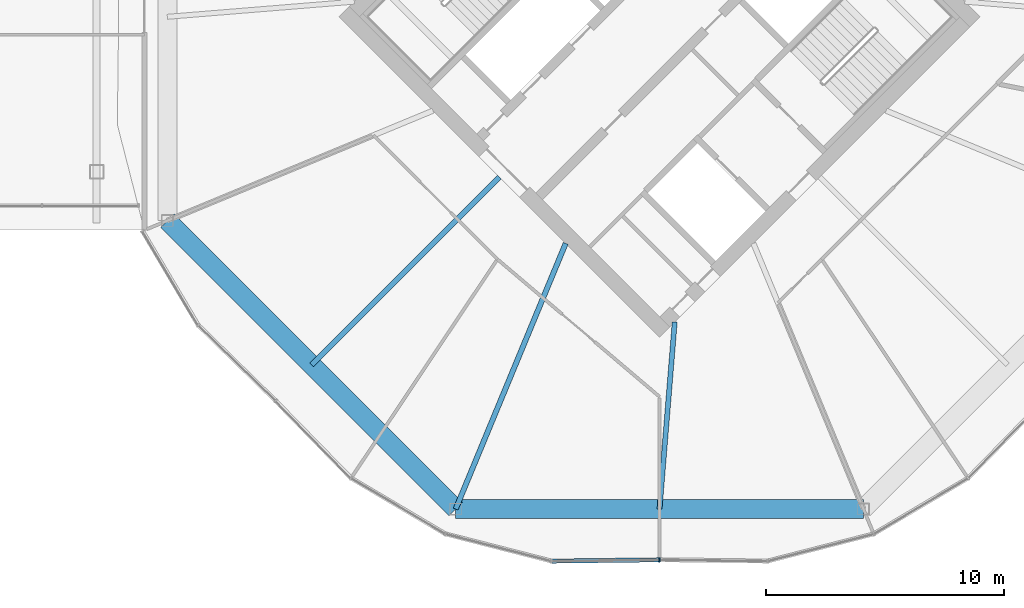
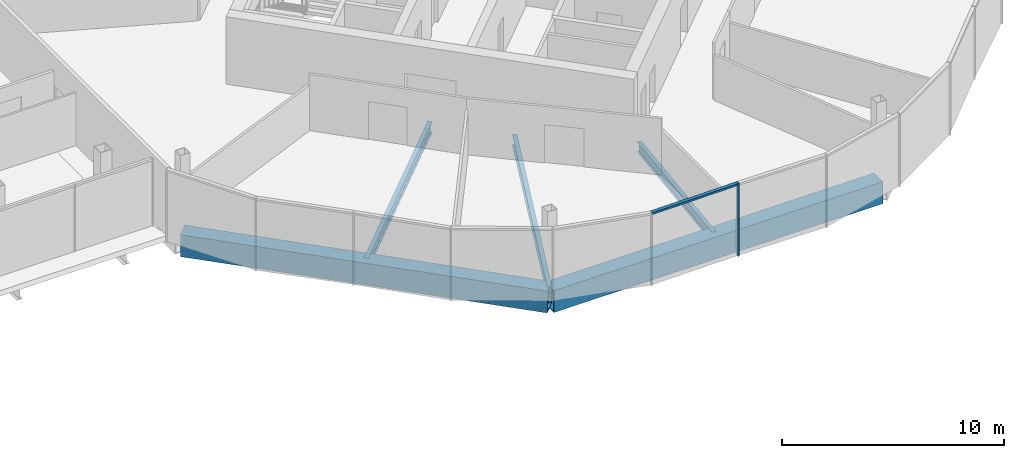
# One storey, part 12 of 25: 5 beams, 2 members, 1 element without a shape of its own.
"""IFC4 building model written with IfcOpenShell, lengths in metres."""

from ifc_helpers import new_model, si_unit, direction, frame, origin, origin_2d, place, context, subcontext, project, spatial, rectangle, hollow_rectangle, i_section, extrude, material, material_profile, profile_set, type_object, element, aggregate, save


model = new_model("IFC4")

# Units and contexts
model_context = context("Model", 3, precision=1e-05, world=origin(), true_north=direction((0.0, 1.0)))
body_context = subcontext(model_context, "Body", "Model", "MODEL_VIEW")
ifc_project = project(units=[si_unit("LENGTHUNIT", "METRE"), si_unit("AREAUNIT", "SQUARE_METRE"), si_unit("VOLUMEUNIT", "CUBIC_METRE"), si_unit("PLANEANGLEUNIT", "RADIAN"), si_unit("MASSUNIT", "GRAM", prefix="KILO")], contexts=[model_context])

# Site, building, storey
site_placement = place(None, origin())
site = spatial("IfcSite", under=ifc_project, at=site_placement, CompositionType="ELEMENT")
building_placement = place(site_placement, origin())
building = spatial("IfcBuilding", under=site, at=building_placement, Name="Ogive Gate Towers", CompositionType="ELEMENT")
storey_placement = place(building_placement, frame((0.0, 0.0, 140.800048828125)))
storey = spatial("IfcBuildingStorey", under=building, at=storey_placement, Name="L33", CompositionType="ELEMENT", Elevation=140.800048828125)

# Beams
ifc_material_1 = material(Name="Steel SM460", Category="steel")
ifc_material_profile_1 = material_profile(ifc_material_1, hollow_rectangle(XDim=0.800048828125, YDim=1.199951171875, WallThickness=0.050048828125, at=origin_2d()), Name="BX 1200x800x50")
ifc_profile_set_1 = profile_set([ifc_material_profile_1], Name="Steel SM460")
beam_type_1 = type_object("IfcBeamType", Name="Edge girder BX 1200x800x50", PredefinedType="BEAM", material=ifc_profile_set_1)
beam_1_placement = place(storey_placement, frame((15.360595703125, -8.549072265625, -0.900146484375), z_axis=(0.707106781187, -0.707106781187, 0.0), x_axis=(0.707106781187, 0.707106781187, 0.0)))
element("IfcBeam", 1, at=beam_1_placement, inside=storey, type_object=beam_type_1, Name="T2/L33/SBM017", PredefinedType="BEAM", context=body_context, shape_type="SweptSolid", body=[
    extrude(hollow_rectangle(XDim=0.800048828125, YDim=1.199951171875, WallThickness=0.050048828125, at=origin_2d()), origin(), (0.0, 0.0, 1.0), 17.098388671875),
])
beam_2_placement = place(storey_placement, frame((27.450927734375, -20.639404296875, -0.900146484375), z_axis=(1.0, 0.0, 0.0), x_axis=(0.0, 1.0, 0.0)))
element("IfcBeam", 2, at=beam_2_placement, inside=storey, type_object=beam_type_1, Name="T2/L33/SBM018", PredefinedType="BEAM", context=body_context, shape_type="SweptSolid", body=[
    extrude(hollow_rectangle(XDim=0.800048828125, YDim=1.199951171875, WallThickness=0.050048828125, at=origin_2d()), origin(), (0.0, 0.0, 1.0), 17.09814453125),
])
ifc_material_2 = material(Name="Steel SM355", Category="steel")
ifc_material_profile_2 = material_profile(ifc_material_2, i_section(OverallWidth=0.2099609375, OverallDepth=0.550048828125, WebThickness=0.010986328125, FlangeThickness=0.01708984375, FilletRadius=0.02392578125, at=origin_2d()), Name="IPE 550")
ifc_profile_set_2 = profile_set([ifc_material_profile_2], Name="Steel SM355")
beam_type_2 = type_object("IfcBeamType", Name="Radial floor beam IPE 550", PredefinedType="BEAM", material=ifc_profile_set_2)
beam_3_placement = place(storey_placement, frame((36.636474609375, -12.798583984375, -0.574951171875), z_axis=(-0.080908365468, -0.996721544062, 0.0), x_axis=(0.996721544062, -0.080908365468, 0.0)))
element("IfcBeam", 3, at=beam_3_placement, inside=storey, type_object=beam_type_2, Name="T2/L33/SBM004", PredefinedType="BEAM", context=body_context, shape_type="SweptSolid", body=[
    extrude(i_section(OverallWidth=0.2099609375, OverallDepth=0.550048828125, WebThickness=0.010986328125, FlangeThickness=0.01708984375, FilletRadius=0.02392578125, at=origin_2d()), origin(), (0.0, 0.0, 1.0), 7.86669921875),
])
ifc_material_profile_3 = material_profile(ifc_material_2, i_section(OverallWidth=0.219970703125, OverallDepth=0.60009765625, WebThickness=0.011962890625, FlangeThickness=0.01904296875, FilletRadius=0.02392578125, at=origin_2d()), Name="IPE 600")
ifc_profile_set_3 = profile_set([ifc_material_profile_3], Name="Steel SM355")
beam_type_3 = type_object("IfcBeamType", Name="Radial floor beam IPE 600", PredefinedType="BEAM", material=ifc_profile_set_3)
beam_4_placement = place(storey_placement, frame((29.282470703125, -6.717529296875, -0.60009765625), z_axis=(-0.707106781187, -0.707106781187, 0.0), x_axis=(0.707106781187, -0.707106781187, 0.0)))
element("IfcBeam", 4, at=beam_4_placement, inside=storey, type_object=beam_type_3, Name="T2/L33/SBM002", PredefinedType="BEAM", context=body_context, shape_type="SweptSolid", body=[
    extrude(i_section(OverallWidth=0.219970703125, OverallDepth=0.60009765625, WebThickness=0.011962890625, FlangeThickness=0.01904296875, FilletRadius=0.02392578125, at=origin_2d()), origin(), (0.0, 0.0, 1.0), 11.139404296875),
])
beam_5_placement = place(storey_placement, frame((32.06494140625, -9.5, -0.60009765625), z_axis=(-0.382677863518, -0.923881839184, 0.0), x_axis=(0.923881839184, -0.382677863518, 0.0)))
element("IfcBeam", 5, at=beam_5_placement, inside=storey, type_object=beam_type_3, Name="T2/L33/SBM003", PredefinedType="BEAM", context=body_context, shape_type="SweptSolid", body=[
    extrude(i_section(OverallWidth=0.219970703125, OverallDepth=0.60009765625, WebThickness=0.011962890625, FlangeThickness=0.01904296875, FilletRadius=0.02392578125, at=origin_2d()), origin(), (0.0, 0.0, 1.0), 12.05712890625),
])

# Curtain wall, members
ifc_material_3 = material(Name="Pale metal aluminium", Category="aluminium")
curtain_wall_type = type_object("IfcCurtainWallType", Name="Tower unitised wall, high zone", PredefinedType="NOTDEFINED", material=ifc_material_3)
curtain_wall_placement = place(storey_placement, origin())
curtain_wall = element("IfcCurtainWall", 6, at=curtain_wall_placement, inside=storey, type_object=curtain_wall_type, Name="CW2 T2 ECW06", PredefinedType="NOTDEFINED")
ifc_material_profile_4 = material_profile(ifc_material_3, rectangle(XDim=0.179931640625, YDim=0.06005859375, at=origin_2d()), Name="60 x 180 aluminium box")
ifc_profile_set_4 = profile_set([ifc_material_profile_4], Name="Pale metal aluminium")
member_type_1 = type_object("IfcMemberType", Name="Tower unitised wall, high zone mullion 60 x 180", PredefinedType="MULLION", material=ifc_profile_set_4)
member_1_placement = place(storey_placement, frame((36.0, -22.77001953125, -0.300048828125), z_axis=(0.0, 0.0, 1.0), x_axis=(0.012077384797, -0.999927065729, 0.0)))
member_1 = element("IfcMember", 7, at=member_1_placement, type_object=member_type_1, Name="CW2 mullion", PredefinedType="MULLION", context=body_context, shape_type="SweptSolid", body=[
    extrude(rectangle(XDim=0.179931640625, YDim=0.06005859375, at=origin_2d()), origin(), (0.0, 0.0, 1.0), 4.0),
])
ifc_material_profile_5 = material_profile(ifc_material_3, rectangle(XDim=0.179931640625, YDim=0.10009765625, at=origin_2d()), Name="100 x 180 aluminium box")
ifc_profile_set_5 = profile_set([ifc_material_profile_5], Name="Pale metal aluminium")
member_type_2 = type_object("IfcMemberType", Name="Tower unitised wall, high zone transom 100 x 180", PredefinedType="USERDEFINED", material=ifc_profile_set_5)
member_2_placement = place(storey_placement, frame((31.49560546875, -22.824462890625, 3.64990234375), z_axis=(0.999927301671, 0.012057834543, 0.0), x_axis=(-0.012057834543, 0.999927301671, 0.0)))
member_2 = element("IfcMember", 8, at=member_2_placement, type_object=member_type_2, Name="CW2 transom", ObjectType="TRANSOM", PredefinedType="USERDEFINED", context=body_context, shape_type="SweptSolid", body=[
    extrude(rectangle(XDim=0.179931640625, YDim=0.10009765625, at=origin_2d()), origin(), (0.0, 0.0, 1.0), 4.474609375),
])
aggregate(curtain_wall, [member_1, member_2])

save(model, "model.ifc")
